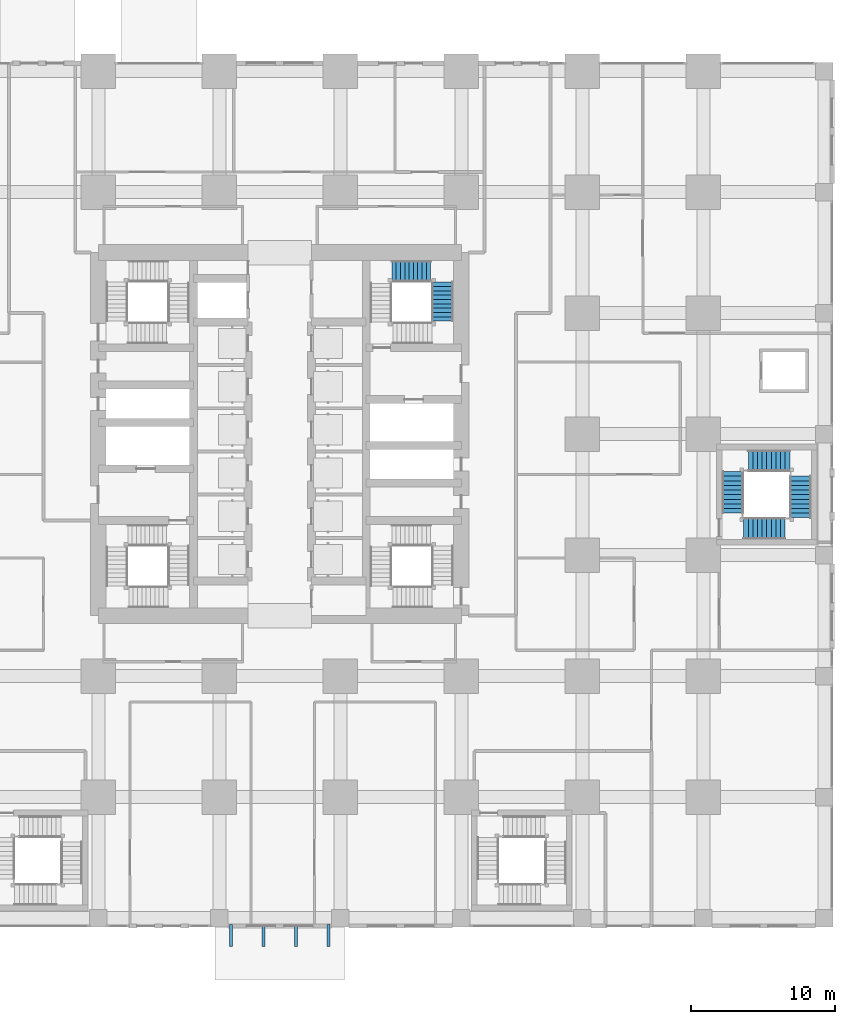
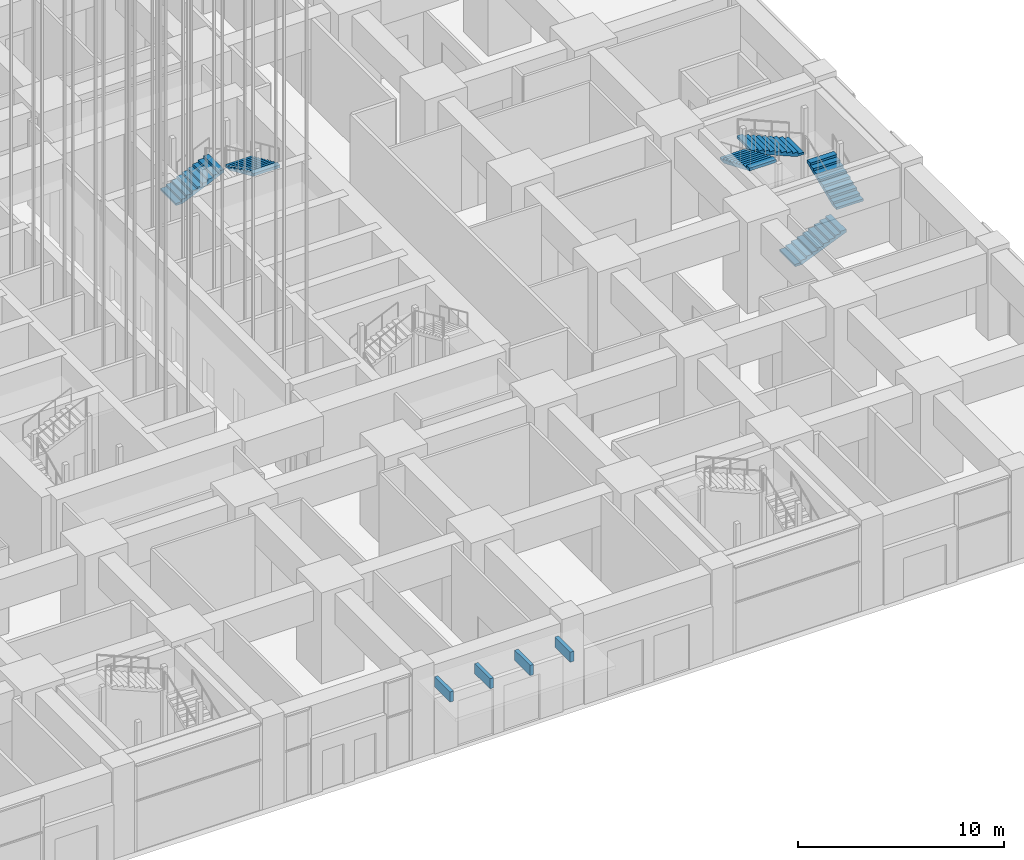
# One storey, part 45 of 81: 6 stair flights, 4 discrete accessories, 2 elements without a shape of their own.
"""IFC4 building model written with IfcOpenShell, lengths in metres."""

from ifc_helpers import new_model, si_unit, direction, frame, origin, origin_2d, place, context, subcontext, project, spatial, polyline, rectangle, outline, extrude, material, type_object, element, aggregate, save


model = new_model("IFC4")

# Units and contexts
model_context = context("Model", 3, precision=1e-05, world=origin(), true_north=direction((0.0, 1.0)))
body_context = subcontext(model_context, "Body", "Model", "MODEL_VIEW")
ifc_project = project(units=[si_unit("LENGTHUNIT", "METRE"), si_unit("AREAUNIT", "SQUARE_METRE"), si_unit("VOLUMEUNIT", "CUBIC_METRE"), si_unit("PLANEANGLEUNIT", "RADIAN"), si_unit("MASSUNIT", "GRAM", prefix="KILO")], contexts=[model_context])

# Site, building, storey
site_placement = place(None, origin())
site = spatial("IfcSite", under=ifc_project, at=site_placement, CompositionType="ELEMENT")
building_placement = place(site_placement, origin())
building = spatial("IfcBuilding", under=site, at=building_placement, Name="Rekha Terrace Tower", CompositionType="ELEMENT")
storey_placement = place(building_placement, origin())
storey = spatial("IfcBuildingStorey", under=building, at=storey_placement, Name="L00", CompositionType="ELEMENT", Elevation=0.0)

# Stair, stair flights
ifc_material_1 = material(Name="Concrete M40", Category="concrete")
stair_type_1 = type_object("IfcStairType", Name="ST40 stair, 40 risers of 135, going 300, 1500 wide flights, 4 flights", PredefinedType="QUARTER_TURN_STAIR", material=ifc_material_1)
stair_1_placement = place(storey_placement, origin())
stair_1 = element("IfcStair", 1, at=stair_1_placement, inside=storey, type_object=stair_type_1, Name="Stair ST2 L00 to L01", PredefinedType="QUARTER_TURN_STAIR")
stair_flight_type_1 = type_object("IfcStairFlightType", Name="SF10 stair flight, 10 risers of 135, going 300, 1500 wide", PredefinedType="STRAIGHT", material=ifc_material_1)
stair_flight_1_placement = place(storey_placement, frame((45.574951171875, 44.89990234375, 1.35009765625), z_axis=(0.0, 0.0, 1.0), x_axis=(1.0, 0.0, 0.0)))
stair_flight_1 = element("IfcStairFlight", 2, at=stair_flight_1_placement, type_object=stair_flight_type_1, Name="ST2 flight 2", NumberOfRisers=10, NumberOfTreads=9, PredefinedType="STRAIGHT", RiserHeight=0.135, TreadLength=0.3, context=body_context, shape_type="SweptSolid", body=[
    extrude(outline(polyline([(0.0, 0.0), (0.0, 0.135009765625), (0.300048828125, 0.135009765625), (0.300048828125, 0.27001953125), (0.60009765625, 0.27001953125), (0.60009765625, 0.405029296875), (0.89990234375, 0.405029296875), (0.89990234375, 0.5400390625), (1.199951171875, 0.5400390625), (1.199951171875, 0.675048828125), (1.5, 0.675048828125), (1.5, 0.81005859375), (1.800048828125, 0.81005859375), (1.800048828125, 0.945068359375), (2.10009765625, 0.945068359375), (2.10009765625, 1.080078125), (2.39990234375, 1.080078125), (2.39990234375, 1.215087890625), (2.699951171875, 1.215087890625), (2.699951171875, 1.35009765625), (2.699951171875, 1.050537109375), (0.365234375, 0.0), (0.0, 0.0)])), frame((0.0, 0.75, 0.0), z_axis=(0.0, -1.0, 0.0), x_axis=(1.0, 0.0, 0.0)), (0.0, 0.0, 1.0), 1.5),
])
stair_flight_2_placement = place(storey_placement, frame((49.10009765625, 44.14990234375, 2.699951171875), z_axis=(0.0, 0.0, 1.0), x_axis=(0.0, -1.0, 0.0)))
stair_flight_2 = element("IfcStairFlight", 3, at=stair_flight_2_placement, type_object=stair_flight_type_1, Name="ST2 flight 3", NumberOfRisers=10, NumberOfTreads=9, PredefinedType="STRAIGHT", RiserHeight=0.135, TreadLength=0.3, context=body_context, shape_type="SweptSolid", body=[
    extrude(outline(polyline([(0.0, 0.0), (0.0, 0.135009765625), (0.300048828125, 0.135009765625), (0.300048828125, 0.27001953125), (0.60009765625, 0.27001953125), (0.60009765625, 0.405029296875), (0.89990234375, 0.405029296875), (0.89990234375, 0.5400390625), (1.199951171875, 0.5400390625), (1.199951171875, 0.675048828125), (1.5, 0.675048828125), (1.5, 0.81005859375), (1.800048828125, 0.81005859375), (1.800048828125, 0.945068359375), (2.10009765625, 0.945068359375), (2.10009765625, 1.080078125), (2.39990234375, 1.080078125), (2.39990234375, 1.215087890625), (2.699951171875, 1.215087890625), (2.699951171875, 1.35009765625), (2.699951171875, 1.050537109375), (0.365234375, 0.0), (0.0, 0.0)])), frame((0.0, 0.75, 0.0), z_axis=(0.0, -1.0, 0.0), x_axis=(1.0, 0.0, 0.0)), (0.0, 0.0, 1.0), 1.5),
])
aggregate(stair_1, [stair_flight_1, stair_flight_2])

stair_type_2 = type_object("IfcStairType", Name="ST40 stair, 40 risers of 135, going 320, 1500 wide flights, 4 flights", PredefinedType="QUARTER_TURN_STAIR", material=ifc_material_1)
stair_2_placement = place(storey_placement, origin())
stair_2 = element("IfcStair", 4, at=stair_2_placement, inside=storey, type_object=stair_type_2, Name="Stair SP2 L00 to L01", PredefinedType="QUARTER_TURN_STAIR")
stair_flight_type_2 = type_object("IfcStairFlightType", Name="SF10 stair flight, 10 risers of 135, going 320, 1500 wide", PredefinedType="STRAIGHT", material=ifc_material_1)
stair_flight_3_placement = place(storey_placement, frame((70.0, 27.050048828125, 0.0), z_axis=(0.0, 0.0, 1.0), x_axis=(1.0, 0.0, 0.0)))
stair_flight_3 = element("IfcStairFlight", 5, at=stair_flight_3_placement, type_object=stair_flight_type_2, Name="SP2 flight 1", NumberOfRisers=10, NumberOfTreads=9, PredefinedType="STRAIGHT", RiserHeight=0.135, TreadLength=0.32, context=body_context, shape_type="SweptSolid", body=[
    extrude(outline(polyline([(0.0, 0.0), (0.0, 0.135009765625), (0.320068359375, 0.135009765625), (0.320068359375, 0.27001953125), (0.639892578125, 0.27001953125), (0.639892578125, 0.405029296875), (0.9599609375, 0.405029296875), (0.9599609375, 0.5400390625), (1.280029296875, 0.5400390625), (1.280029296875, 0.675048828125), (1.60009765625, 0.675048828125), (1.60009765625, 0.81005859375), (1.919921875, 0.81005859375), (1.919921875, 0.945068359375), (2.239990234375, 0.945068359375), (2.239990234375, 1.080078125), (2.56005859375, 1.080078125), (2.56005859375, 1.215087890625), (2.8798828125, 1.215087890625), (2.8798828125, 1.35009765625), (2.8798828125, 1.05224609375), (0.3857421875, 0.0), (0.0, 0.0)])), frame((0.0, 0.75, 0.0), z_axis=(0.0, -1.0, 0.0), x_axis=(1.0, 0.0, 0.0)), (0.0, 0.0, 1.0), 1.5),
])
stair_flight_4_placement = place(storey_placement, frame((73.949951171875, 27.800048828125, 1.35009765625), z_axis=(0.0, 0.0, 1.0), x_axis=(0.0, 1.0, 0.0)))
stair_flight_4 = element("IfcStairFlight", 6, at=stair_flight_4_placement, type_object=stair_flight_type_2, Name="SP2 flight 2", NumberOfRisers=10, NumberOfTreads=9, PredefinedType="STRAIGHT", RiserHeight=0.135, TreadLength=0.32, context=body_context, shape_type="SweptSolid", body=[
    extrude(outline(polyline([(0.0, 0.0), (0.0, 0.135009765625), (0.320068359375, 0.135009765625), (0.320068359375, 0.27001953125), (0.639892578125, 0.27001953125), (0.639892578125, 0.405029296875), (0.9599609375, 0.405029296875), (0.9599609375, 0.5400390625), (1.280029296875, 0.5400390625), (1.280029296875, 0.675048828125), (1.60009765625, 0.675048828125), (1.60009765625, 0.81005859375), (1.919921875, 0.81005859375), (1.919921875, 0.945068359375), (2.239990234375, 0.945068359375), (2.239990234375, 1.080078125), (2.56005859375, 1.080078125), (2.56005859375, 1.215087890625), (2.8798828125, 1.215087890625), (2.8798828125, 1.35009765625), (2.8798828125, 1.05224609375), (0.3857421875, 0.0), (0.0, 0.0)])), frame((0.0, 0.75, 0.0), z_axis=(0.0, -1.0, 0.0), x_axis=(1.0, 0.0, 0.0)), (0.0, 0.0, 1.0), 1.5),
])
stair_flight_5_placement = place(storey_placement, frame((73.199951171875, 31.75, 2.699951171875), z_axis=(0.0, 0.0, 1.0), x_axis=(-1.0, 0.0, 0.0)))
stair_flight_5 = element("IfcStairFlight", 7, at=stair_flight_5_placement, type_object=stair_flight_type_2, Name="SP2 flight 3", NumberOfRisers=10, NumberOfTreads=9, PredefinedType="STRAIGHT", RiserHeight=0.135, TreadLength=0.32, context=body_context, shape_type="SweptSolid", body=[
    extrude(outline(polyline([(0.0, 0.0), (0.0, 0.135009765625), (0.320068359375, 0.135009765625), (0.320068359375, 0.27001953125), (0.639892578125, 0.27001953125), (0.639892578125, 0.405029296875), (0.9599609375, 0.405029296875), (0.9599609375, 0.5400390625), (1.280029296875, 0.5400390625), (1.280029296875, 0.675048828125), (1.60009765625, 0.675048828125), (1.60009765625, 0.81005859375), (1.919921875, 0.81005859375), (1.919921875, 0.945068359375), (2.239990234375, 0.945068359375), (2.239990234375, 1.080078125), (2.56005859375, 1.080078125), (2.56005859375, 1.215087890625), (2.8798828125, 1.215087890625), (2.8798828125, 1.35009765625), (2.8798828125, 1.05224609375), (0.3857421875, 0.0), (0.0, 0.0)])), frame((0.0, 0.75, 0.0), z_axis=(0.0, -1.0, 0.0), x_axis=(1.0, 0.0, 0.0)), (0.0, 0.0, 1.0), 1.5),
])
stair_flight_6_placement = place(storey_placement, frame((69.25, 31.0, 4.050048828125), z_axis=(0.0, 0.0, 1.0), x_axis=(0.0, -1.0, 0.0)))
stair_flight_6 = element("IfcStairFlight", 8, at=stair_flight_6_placement, type_object=stair_flight_type_2, Name="SP2 flight 4", NumberOfRisers=10, NumberOfTreads=9, PredefinedType="STRAIGHT", RiserHeight=0.135, TreadLength=0.32, context=body_context, shape_type="SweptSolid", body=[
    extrude(outline(polyline([(0.0, 0.0), (0.0, 0.135009765625), (0.320068359375, 0.135009765625), (0.320068359375, 0.27001953125), (0.639892578125, 0.27001953125), (0.639892578125, 0.405029296875), (0.9599609375, 0.405029296875), (0.9599609375, 0.5400390625), (1.280029296875, 0.5400390625), (1.280029296875, 0.675048828125), (1.60009765625, 0.675048828125), (1.60009765625, 0.81005859375), (1.919921875, 0.81005859375), (1.919921875, 0.945068359375), (2.239990234375, 0.945068359375), (2.239990234375, 1.080078125), (2.56005859375, 1.080078125), (2.56005859375, 1.215087890625), (2.8798828125, 1.215087890625), (2.8798828125, 1.35009765625), (2.8798828125, 1.05224609375), (0.3857421875, 0.0), (0.0, 0.0)])), frame((0.0, 0.75, 0.0), z_axis=(0.0, -1.0, 0.0), x_axis=(1.0, 0.0, 0.0)), (0.0, 0.0, 1.0), 1.5),
])
aggregate(stair_2, [stair_flight_3, stair_flight_4, stair_flight_5, stair_flight_6])

# Discrete accessories
ifc_material_2 = material(Name="Steel S355", Category="steel")
discrete_accessory_type = type_object("IfcDiscreteAccessoryType", Name="CB1 canopy bracket 200x600", PredefinedType="BRACKET", material=ifc_material_2)
for number, where, z_axis, x_axis, name in (
    (9, (34.425048828125, -1.199951171875, 3.800048828125), (0.0, 0.0, 1.0), (1.0, 0.0, 0.0), "South entrance canopy bracket 1"),
    (10, (36.675048828125, -1.199951171875, 3.800048828125), (0.0, 0.0, 1.0), (1.0, 0.0, 0.0), "South entrance canopy bracket 2"),
    (11, (38.925048828125, -1.199951171875, 3.800048828125), (0.0, 0.0, 1.0), (1.0, 0.0, 0.0), "South entrance canopy bracket 3"),
    (12, (41.175048828125, -1.199951171875, 3.800048828125), (0.0, 0.0, 1.0), (1.0, 0.0, 0.0), "South entrance canopy bracket 4"),
):
    element("IfcDiscreteAccessory", number, at=place(storey_placement, frame(where, z_axis=z_axis, x_axis=x_axis)), inside=storey, type_object=discrete_accessory_type, Name=name, PredefinedType="BRACKET", context=body_context, shape_type="SweptSolid", body=[
        extrude(rectangle(XDim=0.199951171875, YDim=1.5, at=origin_2d()), origin(), (0.0, 0.0, 1.0), 0.60009765625),
    ])

save(model, "model.ifc")
